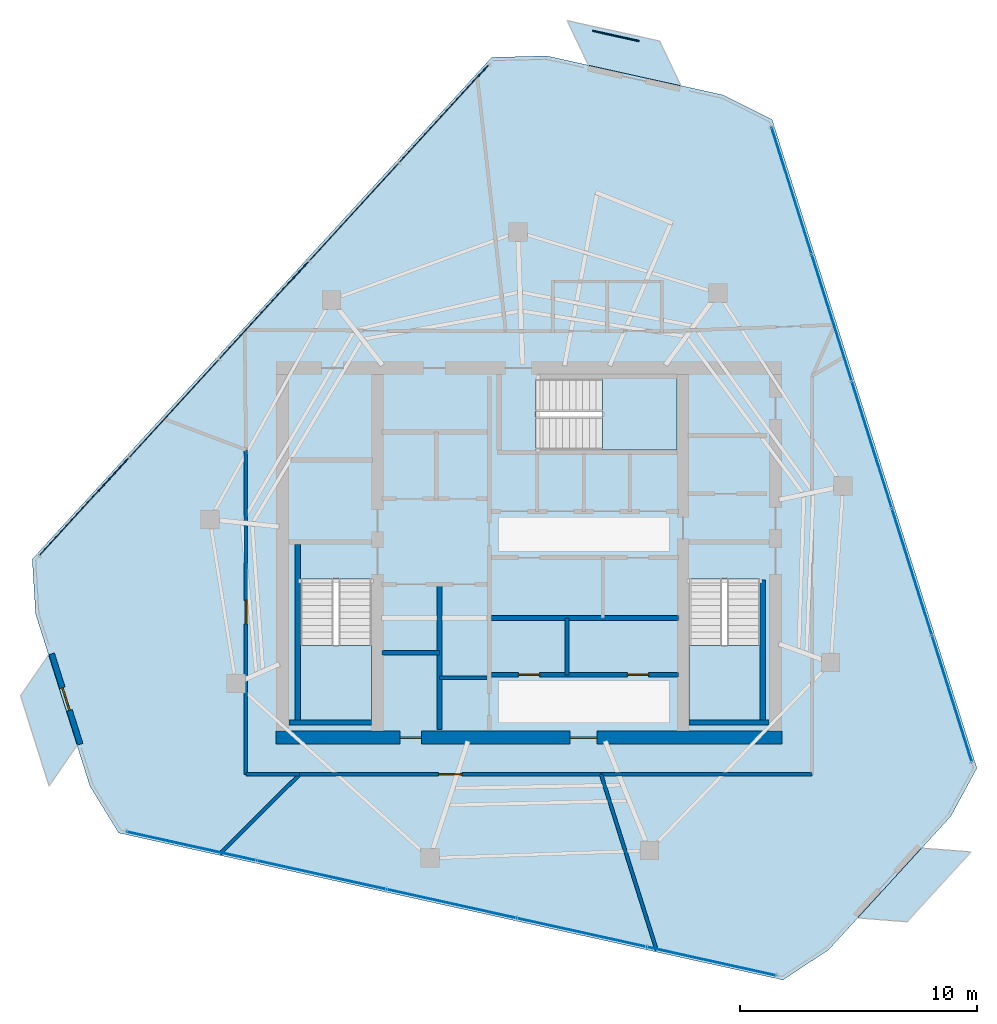
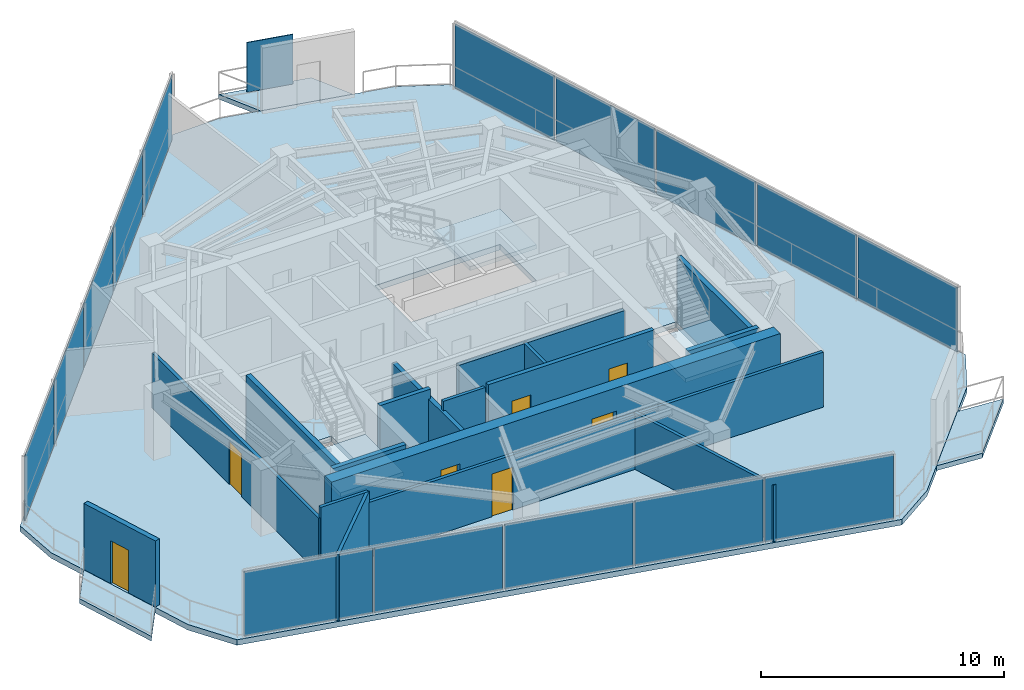
# One storey, part 14 of 18: 18 walls, 16 plates, 7 doors, 7 slabs, 7 openings, 6 elements without a shape of their own.
"""IFC4 building model written with IfcOpenShell, lengths in metres."""

from ifc_helpers import new_model, si_unit, direction, frame, frame_2d, origin, origin_2d, place, context, subcontext, project, spatial, polyline, rectangle, outline, extrude, material, layer, layer_set, type_object, element, fill, aggregate, save


model = new_model("IFC4")

# Units and contexts
model_context = context("Model", 3, precision=1e-05, world=origin(), true_north=direction((0.0, 1.0)))
body_context = subcontext(model_context, "Body", "Model", "MODEL_VIEW")
ifc_project = project(units=[si_unit("LENGTHUNIT", "METRE"), si_unit("AREAUNIT", "SQUARE_METRE"), si_unit("VOLUMEUNIT", "CUBIC_METRE"), si_unit("PLANEANGLEUNIT", "RADIAN"), si_unit("MASSUNIT", "GRAM", prefix="KILO")], contexts=[model_context])

# Site, building, storey
site_placement = place(None, origin())
site = spatial("IfcSite", under=ifc_project, at=site_placement, CompositionType="ELEMENT")
building_placement = place(site_placement, origin())
building = spatial("IfcBuilding", under=site, at=building_placement, Name="Qarnah Convention Tower", CompositionType="ELEMENT")
storey_placement = place(building_placement, frame((0.0, 0.0, 246.300048828125)))
storey = spatial("IfcBuildingStorey", under=building, at=storey_placement, Name="L66", CompositionType="ELEMENT", Elevation=246.300048828125)

# Curtain wall, plates
ifc_material_1 = material(Name="Tempered Low-E dark glass", Category="glass")
ifc_layer_1 = layer(ifc_material_1, 0.176025390625)
ifc_layer_set_1 = layer_set([ifc_layer_1], Name="Tempered Low-E dark glass")
curtain_wall_type = type_object("IfcCurtainWallType", Name="CWS-05", PredefinedType="NOTDEFINED", material=ifc_layer_set_1)
curtain_wall_1_placement = place(storey_placement, origin())
curtain_wall_1 = element("IfcCurtainWall", 1, at=curtain_wall_1_placement, inside=storey, type_object=curtain_wall_type, Name="L66 unitised curtain wall CW-L66-F1", PredefinedType="NOTDEFINED")
ifc_layer_2 = layer(ifc_material_1, 0.035888671875)
ifc_layer_set_2 = layer_set([ifc_layer_2], Name="Tempered Low-E dark glass")
plate_type_1 = type_object("IfcPlateType", Name="PNL-T5", PredefinedType="CURTAIN_PANEL", material=ifc_layer_set_2)
plate_1_placement = place(storey_placement, frame((18.419677734375, 28.348388671875, 0.0400390625), z_axis=(0.0, 0.0, 1.0), x_axis=(0.675336373666, 0.737509852411, 0.0)))
plate_1 = element("IfcPlate", 2, at=plate_1_placement, type_object=plate_type_1, Name="CW-L66-F1 curtain panel 1.1", PredefinedType="CURTAIN_PANEL", context=body_context, shape_type="SweptSolid", body=[
    extrude(rectangle(XDim=5.54296875, YDim=0.035888671875, at=origin_2d()), origin(), (0.0, 0.0, 1.0), 3.239990234375),
])
plate_2_placement = place(storey_placement, frame((22.217041015625, 32.49560546875, 0.0400390625), z_axis=(0.0, 0.0, 1.0), x_axis=(0.675336373666, 0.737509852411, 0.0)))
plate_2 = element("IfcPlate", 3, at=plate_2_placement, type_object=plate_type_1, Name="CW-L66-F1 curtain panel 2.1", PredefinedType="CURTAIN_PANEL", context=body_context, shape_type="SweptSolid", body=[
    extrude(rectangle(XDim=5.54296875, YDim=0.035888671875, at=origin_2d()), origin(), (0.0, 0.0, 1.0), 3.239990234375),
])
plate_3_placement = place(storey_placement, frame((26.014404296875, 36.642578125, 0.0400390625), z_axis=(0.0, 0.0, 1.0), x_axis=(0.675336373666, 0.737509852411, 0.0)))
plate_3 = element("IfcPlate", 4, at=plate_3_placement, type_object=plate_type_1, Name="CW-L66-F1 curtain panel 3.1", PredefinedType="CURTAIN_PANEL", context=body_context, shape_type="SweptSolid", body=[
    extrude(rectangle(XDim=5.54296875, YDim=0.035888671875, at=origin_2d()), origin(), (0.0, 0.0, 1.0), 3.239990234375),
])
plate_4_placement = place(storey_placement, frame((29.81201171875, 40.78955078125, 0.0400390625), z_axis=(0.0, 0.0, 1.0), x_axis=(0.675336373666, 0.737509852411, 0.0)))
plate_4 = element("IfcPlate", 5, at=plate_4_placement, type_object=plate_type_1, Name="CW-L66-F1 curtain panel 4.1", PredefinedType="CURTAIN_PANEL", context=body_context, shape_type="SweptSolid", body=[
    extrude(rectangle(XDim=5.54296875, YDim=0.035888671875, at=origin_2d()), origin(), (0.0, 0.0, 1.0), 3.239990234375),
])
plate_5_placement = place(storey_placement, frame((33.609375, 44.9365234375, 0.0400390625), z_axis=(0.0, 0.0, 1.0), x_axis=(0.675336373666, 0.737509852411, 0.0)))
plate_5 = element("IfcPlate", 6, at=plate_5_placement, type_object=plate_type_1, Name="CW-L66-F1 curtain panel 5.1", PredefinedType="CURTAIN_PANEL", context=body_context, shape_type="SweptSolid", body=[
    extrude(rectangle(XDim=5.54296875, YDim=0.035888671875, at=origin_2d()), origin(), (0.0, 0.0, 1.0), 3.239990234375),
])
aggregate(curtain_wall_1, [plate_1, plate_2, plate_3, plate_4, plate_5])

curtain_wall_2_placement = place(storey_placement, origin())
curtain_wall_2 = element("IfcCurtainWall", 7, at=curtain_wall_2_placement, inside=storey, type_object=curtain_wall_type, Name="L66 unitised curtain wall CW-L66-F2", PredefinedType="NOTDEFINED")
plate_6_placement = place(storey_placement, frame((48.2783203125, 41.68994140625, 0.0400390625), z_axis=(0.0, 0.0, 1.0), x_axis=(0.301024127951, -0.953616523762, 0.0)))
plate_6 = element("IfcPlate", 8, at=plate_6_placement, type_object=plate_type_1, Name="CW-L66-F2 curtain panel 1.1", PredefinedType="CURTAIN_PANEL", context=body_context, shape_type="SweptSolid", body=[
    extrude(rectangle(XDim=5.542724609375, YDim=0.035888671875, at=origin_2d()), origin(), (0.0, 0.0, 1.0), 3.239990234375),
])
plate_7_placement = place(storey_placement, frame((49.970947265625, 36.327880859375, 0.0400390625), z_axis=(0.0, 0.0, 1.0), x_axis=(0.301024127951, -0.953616523762, 0.0)))
plate_7 = element("IfcPlate", 9, at=plate_7_placement, type_object=plate_type_1, Name="CW-L66-F2 curtain panel 2.1", PredefinedType="CURTAIN_PANEL", context=body_context, shape_type="SweptSolid", body=[
    extrude(rectangle(XDim=5.542724609375, YDim=0.035888671875, at=origin_2d()), origin(), (0.0, 0.0, 1.0), 3.239990234375),
])
plate_8_placement = place(storey_placement, frame((51.66357421875, 30.966064453125, 0.0400390625), z_axis=(0.0, 0.0, 1.0), x_axis=(0.301024127951, -0.953616523762, 0.0)))
plate_8 = element("IfcPlate", 10, at=plate_8_placement, type_object=plate_type_1, Name="CW-L66-F2 curtain panel 3.1", PredefinedType="CURTAIN_PANEL", context=body_context, shape_type="SweptSolid", body=[
    extrude(rectangle(XDim=5.542724609375, YDim=0.035888671875, at=origin_2d()), origin(), (0.0, 0.0, 1.0), 3.239990234375),
])
plate_9_placement = place(storey_placement, frame((53.356201171875, 25.60400390625, 0.0400390625), z_axis=(0.0, 0.0, 1.0), x_axis=(0.301024127951, -0.953616523762, 0.0)))
plate_9 = element("IfcPlate", 11, at=plate_9_placement, type_object=plate_type_1, Name="CW-L66-F2 curtain panel 4.1", PredefinedType="CURTAIN_PANEL", context=body_context, shape_type="SweptSolid", body=[
    extrude(rectangle(XDim=5.542724609375, YDim=0.035888671875, at=origin_2d()), origin(), (0.0, 0.0, 1.0), 3.239990234375),
])
plate_10_placement = place(storey_placement, frame((55.048583984375, 20.241943359375, 0.0400390625), z_axis=(0.0, 0.0, 1.0), x_axis=(0.301024127951, -0.953616523762, 0.0)))
plate_10 = element("IfcPlate", 12, at=plate_10_placement, type_object=plate_type_1, Name="CW-L66-F2 curtain panel 5.1", PredefinedType="CURTAIN_PANEL", context=body_context, shape_type="SweptSolid", body=[
    extrude(rectangle(XDim=5.542724609375, YDim=0.035888671875, at=origin_2d()), origin(), (0.0, 0.0, 1.0), 3.239990234375),
])
aggregate(curtain_wall_2, [plate_6, plate_7, plate_8, plate_9, plate_10])

curtain_wall_3_placement = place(storey_placement, origin())
curtain_wall_3 = element("IfcCurtainWall", 13, at=curtain_wall_3_placement, inside=storey, type_object=curtain_wall_type, Name="L66 unitised curtain wall CW-L66-F3", PredefinedType="NOTDEFINED")
plate_11_placement = place(storey_placement, frame((44.902099609375, 9.16162109375, 0.0400390625), z_axis=(0.0, 0.0, 1.0), x_axis=(-0.97637333984, 0.216090493197, 0.0)))
plate_11 = element("IfcPlate", 14, at=plate_11_placement, type_object=plate_type_1, Name="CW-L66-F3 curtain panel 1.1", PredefinedType="CURTAIN_PANEL", context=body_context, shape_type="SweptSolid", body=[
    extrude(rectangle(XDim=5.542724609375, YDim=0.035888671875, at=origin_2d()), origin(), (0.0, 0.0, 1.0), 3.239990234375),
])
plate_12_placement = place(storey_placement, frame((39.412353515625, 10.37646484375, 0.0400390625), z_axis=(0.0, 0.0, 1.0), x_axis=(-0.97637333984, 0.216090493197, 0.0)))
plate_12 = element("IfcPlate", 15, at=plate_12_placement, type_object=plate_type_1, Name="CW-L66-F3 curtain panel 2.1", PredefinedType="CURTAIN_PANEL", context=body_context, shape_type="SweptSolid", body=[
    extrude(rectangle(XDim=5.542724609375, YDim=0.035888671875, at=origin_2d()), origin(), (0.0, 0.0, 1.0), 3.239990234375),
])
plate_13_placement = place(storey_placement, frame((33.922607421875, 11.591552734375, 0.0400390625), z_axis=(0.0, 0.0, 1.0), x_axis=(-0.97637333984, 0.216090493197, 0.0)))
plate_13 = element("IfcPlate", 16, at=plate_13_placement, type_object=plate_type_1, Name="CW-L66-F3 curtain panel 3.1", PredefinedType="CURTAIN_PANEL", context=body_context, shape_type="SweptSolid", body=[
    extrude(rectangle(XDim=5.542724609375, YDim=0.035888671875, at=origin_2d()), origin(), (0.0, 0.0, 1.0), 3.239990234375),
])
plate_14_placement = place(storey_placement, frame((28.4326171875, 12.806396484375, 0.0400390625), z_axis=(0.0, 0.0, 1.0), x_axis=(-0.97637333984, 0.216090493197, 0.0)))
plate_14 = element("IfcPlate", 17, at=plate_14_placement, type_object=plate_type_1, Name="CW-L66-F3 curtain panel 4.1", PredefinedType="CURTAIN_PANEL", context=body_context, shape_type="SweptSolid", body=[
    extrude(rectangle(XDim=5.542724609375, YDim=0.035888671875, at=origin_2d()), origin(), (0.0, 0.0, 1.0), 3.239990234375),
])
plate_15_placement = place(storey_placement, frame((22.94287109375, 14.021484375, 0.0400390625), z_axis=(0.0, 0.0, 1.0), x_axis=(-0.97637333984, 0.216090493197, 0.0)))
plate_15 = element("IfcPlate", 18, at=plate_15_placement, type_object=plate_type_1, Name="CW-L66-F3 curtain panel 5.1", PredefinedType="CURTAIN_PANEL", context=body_context, shape_type="SweptSolid", body=[
    extrude(rectangle(XDim=5.542724609375, YDim=0.035888671875, at=origin_2d()), origin(), (0.0, 0.0, 1.0), 3.239990234375),
])
aggregate(curtain_wall_3, [plate_11, plate_12, plate_13, plate_14, plate_15])

# Plate
ifc_material_2 = material(Name="Black anodised aluminium", Category="aluminium")
ifc_layer_3 = layer(ifc_material_2, 0.044921875)
ifc_layer_set_3 = layer_set([ifc_layer_3], Name="Black anodised aluminium")
plate_type_2 = type_object("IfcPlateType", Name="SCR-BAL-18", PredefinedType="USERDEFINED", material=ifc_layer_set_3)
plate_16_placement = place(storey_placement, frame((40.860107421875, 48.217041015625, 0.0), z_axis=(0.0, 0.0, 1.0), x_axis=(0.97638658348, -0.216030645047, 0.0)))
element("IfcPlate", 19, at=plate_16_placement, inside=storey, type_object=plate_type_2, Name="L66 perforated desert solar screen BAL-L66-C1", ObjectType="SCREEN", PredefinedType="USERDEFINED", context=body_context, shape_type="SweptSolid", body=[
    extrude(rectangle(XDim=2.0, YDim=0.044921875, at=origin_2d()), origin(), (0.0, 0.0, 1.0), 2.5),
])

# Slabs
ifc_material_3 = material(Name="Concrete C45/55", Category="concrete")
ifc_layer_4 = layer(ifc_material_3, 0.239990234375)
ifc_layer_set_4 = layer_set([ifc_layer_4], Name="Concrete C45/55")
slab_type_1 = type_object("IfcSlabType", Name="SLB-BAL-240", PredefinedType="USERDEFINED", material=ifc_layer_set_4)
slab_1_placement = place(storey_placement, frame((0.0, 0.0, -0.239990234375)))
element("IfcSlab", 20, at=slab_1_placement, inside=storey, type_object=slab_type_1, Name="L66 cantilevered balcony slab BAL-L66-C1", ObjectType="BALCONY", PredefinedType="USERDEFINED", context=body_context, shape_type="SweptSolid", body=[
    extrude(outline(polyline([(38.803955078125, 48.865966796875), (42.708984375, 48.001953125), (43.610107421875, 46.113037109375), (39.705078125, 46.97802734375), (38.803955078125, 48.865966796875)])), origin(), (0.0, 0.0, 1.0), 0.239990234375),
])
slab_2_placement = place(storey_placement, frame((0.0, 0.0, -0.239990234375)))
element("IfcSlab", 21, at=slab_2_placement, inside=storey, type_object=slab_type_1, Name="L66 cantilevered balcony slab BAL-L66-C2", ObjectType="BALCONY", PredefinedType="USERDEFINED", context=body_context, shape_type="SweptSolid", body=[
    extrude(outline(polyline([(16.94189453125, 16.555908203125), (15.737060546875, 20.3701171875), (16.922119140625, 22.094970703125), (18.1259765625, 18.281005859375), (16.94189453125, 16.555908203125)])), origin(), (0.0, 0.0, 1.0), 0.239990234375),
])
slab_3_placement = place(storey_placement, frame((0.0, 0.0, -0.239990234375)))
element("IfcSlab", 22, at=slab_3_placement, inside=storey, type_object=slab_type_1, Name="L66 cantilevered balcony slab BAL-L66-C3", ObjectType="BALCONY", PredefinedType="USERDEFINED", context=body_context, shape_type="SweptSolid", body=[
    extrude(outline(polyline([(55.85498046875, 13.778076171875), (53.153076171875, 10.827880859375), (51.06689453125, 10.990966796875), (53.76806640625, 13.94091796875), (55.85498046875, 13.778076171875)])), origin(), (0.0, 0.0, 1.0), 0.239990234375),
])

# Stair, slab
ifc_material_4 = material(Name="Concrete C50/60", Category="concrete")
stair_type = type_object("IfcStairType", Name="STR-OFF", PredefinedType="HALF_TURN_STAIR", material=ifc_material_4)
stair_1_placement = place(storey_placement, origin())
stair_1 = element("IfcStair", 23, at=stair_1_placement, inside=storey, type_object=stair_type, Name="L66 Core exit stair ST-1", PredefinedType="HALF_TURN_STAIR")
ifc_layer_5 = layer(ifc_material_4, 0.199951171875)
ifc_layer_set_5 = layer_set([ifc_layer_5], Name="Concrete C50/60")
slab_type_2 = type_object("IfcSlabType", Name="SLB-LANDING-200", PredefinedType="LANDING", material=ifc_layer_set_5)
slab_4_placement = place(storey_placement, frame((0.0, 0.0, 1.599853515625)))
slab_4 = element("IfcSlab", 24, at=slab_4_placement, type_object=slab_type_2, Name="ST-1 landing 1", PredefinedType="LANDING", context=body_context, shape_type="SweptSolid", body=[
    extrude(outline(polyline([(27.550048828125, 22.5), (27.550048828125, 19.35009765625), (30.550048828125, 19.35009765625), (30.550048828125, 22.5), (27.550048828125, 22.5)])), origin(), (0.0, 0.0, 1.0), 0.2001953125),
])
aggregate(stair_1, [slab_4])

stair_2_placement = place(storey_placement, origin())
stair_2 = element("IfcStair", 25, at=stair_2_placement, inside=storey, type_object=stair_type, Name="L66 Core exit stair ST-2", PredefinedType="HALF_TURN_STAIR")
slab_5_placement = place(storey_placement, frame((0.0, 0.0, 1.599853515625)))
slab_5 = element("IfcSlab", 26, at=slab_5_placement, type_object=slab_type_2, Name="ST-2 landing 1", PredefinedType="LANDING", context=body_context, shape_type="SweptSolid", body=[
    extrude(outline(polyline([(43.949951171875, 22.5), (43.949951171875, 19.35009765625), (46.949951171875, 19.35009765625), (46.949951171875, 22.5), (43.949951171875, 22.5)])), origin(), (0.0, 0.0, 1.0), 0.2001953125),
])
aggregate(stair_2, [slab_5])

stair_3_placement = place(storey_placement, origin())
stair_3 = element("IfcStair", 27, at=stair_3_placement, inside=storey, type_object=stair_type, Name="L66 Core exit stair ST-3", PredefinedType="HALF_TURN_STAIR")
slab_6_placement = place(storey_placement, frame((0.0, 0.0, 1.599853515625)))
slab_6 = element("IfcSlab", 28, at=slab_6_placement, type_object=slab_type_2, Name="ST-3 landing 1", PredefinedType="LANDING", context=body_context, shape_type="SweptSolid", body=[
    extrude(outline(polyline([(40.300048828125, 30.75), (43.449951171875, 30.75), (43.449951171875, 33.75), (40.300048828125, 33.75), (40.300048828125, 30.75)])), origin(), (0.0, 0.0, 1.0), 0.2001953125),
])
aggregate(stair_3, [slab_6])

# Slab
ifc_layer_6 = layer(ifc_material_3, 0.280029296875)
ifc_layer_set_6 = layer_set([ifc_layer_6], Name="Concrete C45/55")
slab_type_3 = type_object("IfcSlabType", Name="SLB-TWR-280", PredefinedType="FLOOR", material=ifc_layer_set_6)
slab_7_placement = place(storey_placement, frame((0.0, 0.0, -0.280029296875)))
element("IfcSlab", 29, at=slab_7_placement, inside=storey, type_object=slab_type_3, Name="L66 structural floor slab", PredefinedType="FLOOR", context=body_context, shape_type="SweptSolid", body=[
    extrude(outline(polyline([(35.6220703125, 47.31201171875), (16.22998046875, 26.135009765625), (16.3720703125, 23.823974609375), (18.66796875, 16.551025390625), (19.87890625, 14.576904296875), (47.9140625, 8.3720703125), (49.844970703125, 9.65087890625), (54.99609375, 15.27587890625), (56.10009765625, 17.31103515625), (47.4560546875, 44.693115234375), (45.383056640625, 45.72509765625), (37.93603515625, 47.3740234375), (35.6220703125, 47.31201171875)]), holes=[polyline([(27.550048828125, 25.300048828125), (27.550048828125, 19.35009765625), (30.550048828125, 19.35009765625), (30.550048828125, 25.300048828125), (27.550048828125, 25.300048828125)]), polyline([(43.949951171875, 25.300048828125), (43.949951171875, 19.35009765625), (46.949951171875, 19.35009765625), (46.949951171875, 25.300048828125), (43.949951171875, 25.300048828125)]), polyline([(37.5, 30.75), (43.449951171875, 30.75), (43.449951171875, 33.75), (37.5, 33.75), (37.5, 30.75)])]), origin(), (0.0, 0.0, 1.0), 0.280029296875),
])

# Wall, openings, doors
ifc_material_5 = material(Name="Concrete C60/75", Category="concrete")
ifc_layer_7 = layer(ifc_material_5, 0.550048828125)
ifc_layer_set_7 = layer_set([ifc_layer_7], Name="Concrete C60/75")
wall_type_1 = type_object("IfcWallType", Name="WL-CORE-550", PredefinedType="SHEAR", material=ifc_layer_set_7)
wall_1_placement = place(storey_placement, frame((26.52490234375, 18.60009765625, 0.0), z_axis=(0.0, 0.0, 1.0), x_axis=(1.0, 0.0, 0.0)))
wall_1 = element("IfcWall", 30, at=wall_1_placement, inside=storey, type_object=wall_type_1, Name="L66 core south shear wall", PredefinedType="SHEAR", context=body_context, shape_type="SweptSolid", body=[
    extrude(rectangle(XDim=21.35009765625, YDim=0.550048828125, at=frame_2d((10.675048828125, 0.0))), origin(), (0.0, 0.0, 1.0), 3.320068359375),
])
opening_1_placement = place(wall_1_placement, frame((12.39990234375, 0.0, 0.0)))
opening_1 = element("IfcOpeningElement", 31, at=opening_1_placement, cuts=wall_1, Name="Opening D-6607", PredefinedType="OPENING", context=body_context, shape_type="SweptSolid", body=[
    extrude(rectangle(XDim=1.14990234375, YDim=2.14990234375, at=frame_2d((0.574951171875, 1.074951171875))), frame((0.0, 0.284912109375, 0.0), z_axis=(0.0, -1.0, 0.0), x_axis=(1.0, 0.0, 0.0)), (0.0, 0.0, 1.0), 0.570068359375),
])
opening_2_placement = place(wall_1_placement, frame((5.22509765625, 0.0, 0.0)))
opening_2 = element("IfcOpeningElement", 32, at=opening_2_placement, cuts=wall_1, Name="Opening D-6613", PredefinedType="OPENING", context=body_context, shape_type="SweptSolid", body=[
    extrude(rectangle(XDim=0.89990234375, YDim=2.10009765625, at=frame_2d((0.449951171875, 1.050048828125))), frame((0.0, 0.284912109375, 0.0), z_axis=(0.0, -1.0, 0.0), x_axis=(1.0, 0.0, 0.0)), (0.0, 0.0, 1.0), 0.570068359375),
])
ifc_material_6 = material(Name="Structural steel S355JR", Category="steel")
door_type_1 = type_object("IfcDoorType", Name="DT-LOBBY-1150", OperationType="NOTDEFINED", PredefinedType="DOOR", material=ifc_material_6)
door_1_placement = place(opening_1_placement, origin())
door_1 = element("IfcDoor", 33, at=door_1_placement, inside=storey, type_object=door_type_1, Name="Door D-6607", OperationType="SINGLE_SWING_RIGHT", OverallHeight=2.14990234375, OverallWidth=1.14990234375, PredefinedType="DOOR", context=body_context, shape_type="SweptSolid", body=[
    extrude(rectangle(XDim=1.14990234375, YDim=2.14990234375, at=frame_2d((0.574951171875, 1.074951171875))), frame((0.0, 0.02490234375, 0.0), z_axis=(0.0, -1.0, 0.0), x_axis=(1.0, 0.0, 0.0)), (0.0, 0.0, 1.0), 0.050048828125),
])
fill(opening_1, door_1)
door_type_2 = type_object("IfcDoorType", Name="DT-RISER-900", OperationType="NOTDEFINED", PredefinedType="DOOR", material=ifc_material_6)
door_2_placement = place(opening_2_placement, origin())
door_2 = element("IfcDoor", 34, at=door_2_placement, inside=storey, type_object=door_type_2, Name="Door D-6613", OperationType="SINGLE_SWING_RIGHT", OverallHeight=2.10009765625, OverallWidth=0.89990234375, PredefinedType="DOOR", context=body_context, shape_type="SweptSolid", body=[
    extrude(rectangle(XDim=0.89990234375, YDim=2.10009765625, at=frame_2d((0.449951171875, 1.050048828125))), frame((0.0, 0.02490234375, 0.0), z_axis=(0.0, -1.0, 0.0), x_axis=(1.0, 0.0, 0.0)), (0.0, 0.0, 1.0), 0.050048828125),
])
fill(opening_2, door_2)

# Walls
ifc_layer_8 = layer(ifc_material_3, 0.199951171875)
ifc_layer_set_8 = layer_set([ifc_layer_8], Name="Concrete C45/55")
wall_type_2 = type_object("IfcWallType", Name="WL-CORE-PART-200", PredefinedType="SOLIDWALL", material=ifc_layer_set_8)
wall_2_placement = place(storey_placement, frame((33.419921875, 18.949951171875, 0.0), z_axis=(0.0, 0.0, 1.0), x_axis=(0.0, 1.0, 0.0)))
element("IfcWall", 35, at=wall_2_placement, inside=storey, type_object=wall_type_2, Name="L66 interior wall IW-L66-SVLE", PredefinedType="SOLIDWALL", context=body_context, shape_type="SweptSolid", body=[
    extrude(rectangle(XDim=6.130126953125, YDim=0.199951171875, at=frame_2d((3.06494140625, 0.0))), origin(), (0.0, 0.0, 1.0), 2.841064453125),
])
wall_3_placement = place(storey_placement, frame((31.0, 22.179931640625, 0.0), z_axis=(0.0, 0.0, 1.0), x_axis=(1.0, 0.0, 0.0)))
element("IfcWall", 36, at=wall_3_placement, inside=storey, type_object=wall_type_2, Name="L66 interior wall IW-L66-SVLS", PredefinedType="SOLIDWALL", context=body_context, shape_type="SweptSolid", body=[
    extrude(rectangle(XDim=2.419921875, YDim=0.199951171875, at=frame_2d((1.2099609375, 0.0))), origin(), (0.0, 0.0, 1.0), 3.320068359375),
])
wall_4_placement = place(storey_placement, frame((35.6201171875, 23.64990234375, 0.0), z_axis=(0.0, 0.0, 1.0), x_axis=(1.0, 0.0, 0.0)))
element("IfcWall", 37, at=wall_4_placement, inside=storey, type_object=wall_type_2, Name="L66 interior wall IW-L66-PMPL", PredefinedType="SOLIDWALL", context=body_context, shape_type="SweptSolid", body=[
    extrude(rectangle(XDim=7.8798828125, YDim=0.199951171875, at=frame_2d((3.93994140625, 0.0))), origin(), (0.0, 0.0, 1.0), 2.841064453125),
])

# Wall, openings, doors
wall_5_placement = place(storey_placement, frame((35.6201171875, 21.25, 0.0), z_axis=(0.0, 0.0, 1.0), x_axis=(1.0, 0.0, 0.0)))
wall_5 = element("IfcWall", 38, at=wall_5_placement, inside=storey, type_object=wall_type_2, Name="L66 interior wall IW-L66-PLS", PredefinedType="SOLIDWALL", context=body_context, shape_type="SweptSolid", body=[
    extrude(rectangle(XDim=7.8798828125, YDim=0.199951171875, at=frame_2d((3.93994140625, 0.0))), origin(), (0.0, 0.0, 1.0), 3.320068359375),
])
opening_3_placement = place(wall_5_placement, frame((1.1298828125, 0.0, 0.0)))
opening_3 = element("IfcOpeningElement", 39, at=opening_3_placement, cuts=wall_5, Name="Opening D-6616", PredefinedType="OPENING", context=body_context, shape_type="SweptSolid", body=[
    extrude(rectangle(XDim=0.89990234375, YDim=2.10009765625, at=frame_2d((0.449951171875, 1.050048828125))), frame((0.0, 0.10986328125, 0.0), z_axis=(0.0, -1.0, 0.0), x_axis=(1.0, 0.0, 0.0)), (0.0, 0.0, 1.0), 0.219970703125),
])
opening_4_placement = place(wall_5_placement, frame((5.72998046875, 0.0, 0.0)))
opening_4 = element("IfcOpeningElement", 40, at=opening_4_placement, cuts=wall_5, Name="Opening D-6617", PredefinedType="OPENING", context=body_context, shape_type="SweptSolid", body=[
    extrude(rectangle(XDim=0.89990234375, YDim=2.10009765625, at=frame_2d((0.449951171875, 1.050048828125))), frame((0.0, 0.10986328125, 0.0), z_axis=(0.0, -1.0, 0.0), x_axis=(1.0, 0.0, 0.0)), (0.0, 0.0, 1.0), 0.219970703125),
])
door_3_placement = place(opening_3_placement, origin())
door_3 = element("IfcDoor", 41, at=door_3_placement, inside=storey, type_object=door_type_2, Name="Door D-6616", OperationType="SINGLE_SWING_LEFT", OverallHeight=2.10009765625, OverallWidth=0.89990234375, PredefinedType="DOOR", context=body_context, shape_type="SweptSolid", body=[
    extrude(rectangle(XDim=0.89990234375, YDim=2.10009765625, at=frame_2d((0.449951171875, 1.050048828125))), frame((0.0, 0.02490234375, 0.0), z_axis=(0.0, -1.0, 0.0), x_axis=(1.0, 0.0, 0.0)), (0.0, 0.0, 1.0), 0.050048828125),
])
fill(opening_3, door_3)
door_4_placement = place(opening_4_placement, origin())
door_4 = element("IfcDoor", 42, at=door_4_placement, inside=storey, type_object=door_type_2, Name="Door D-6617", OperationType="SINGLE_SWING_RIGHT", OverallHeight=2.10009765625, OverallWidth=0.89990234375, PredefinedType="DOOR", context=body_context, shape_type="SweptSolid", body=[
    extrude(rectangle(XDim=0.89990234375, YDim=2.10009765625, at=frame_2d((0.449951171875, 1.050048828125))), frame((0.0, 0.02490234375, 0.0), z_axis=(0.0, -1.0, 0.0), x_axis=(1.0, 0.0, 0.0)), (0.0, 0.0, 1.0), 0.050048828125),
])
fill(opening_4, door_4)

# Walls
ifc_layer_9 = layer(ifc_material_5, 0.219970703125)
ifc_layer_set_9 = layer_set([ifc_layer_9], Name="Concrete C60/75")
wall_type_3 = type_object("IfcWallType", Name="WL-CORE-STAIR-220", PredefinedType="SHEAR", material=ifc_layer_set_9)
wall_6_placement = place(storey_placement, frame((27.43994140625, 19.35009765625, 0.0), z_axis=(0.0, 0.0, 1.0), x_axis=(0.0, 1.0, 0.0)))
element("IfcWall", 43, at=wall_6_placement, inside=storey, type_object=wall_type_3, Name="L66 stair shaft shear wall SW-L66-ST1W", PredefinedType="SHEAR", context=body_context, shape_type="SweptSolid", body=[
    extrude(rectangle(XDim=7.39990234375, YDim=0.219970703125, at=frame_2d((3.699951171875, 0.0))), origin(), (0.0, 0.0, 1.0), 3.320068359375),
])
wall_7_placement = place(storey_placement, frame((27.074951171875, 19.239990234375, 0.0), z_axis=(0.0, 0.0, 1.0), x_axis=(1.0, 0.0, 0.0)))
element("IfcWall", 44, at=wall_7_placement, inside=storey, type_object=wall_type_3, Name="L66 stair shaft shear wall SW-L66-ST1S", PredefinedType="SHEAR", context=body_context, shape_type="SweptSolid", body=[
    extrude(rectangle(XDim=3.47509765625, YDim=0.219970703125, at=frame_2d((1.737548828125, 0.0))), origin(), (0.0, 0.0, 1.0), 3.320068359375),
])
wall_8_placement = place(storey_placement, frame((47.06005859375, 19.35009765625, 0.0), z_axis=(0.0, 0.0, 1.0), x_axis=(0.0, 1.0, 0.0)))
element("IfcWall", 45, at=wall_8_placement, inside=storey, type_object=wall_type_3, Name="L66 stair shaft shear wall SW-L66-ST2E", PredefinedType="SHEAR", context=body_context, shape_type="SweptSolid", body=[
    extrude(rectangle(XDim=5.89990234375, YDim=0.219970703125, at=frame_2d((2.949951171875, 0.0))), origin(), (0.0, 0.0, 1.0), 3.320068359375),
])
wall_9_placement = place(storey_placement, frame((43.949951171875, 19.239990234375, 0.0), z_axis=(0.0, 0.0, 1.0), x_axis=(1.0, 0.0, 0.0)))
element("IfcWall", 46, at=wall_9_placement, inside=storey, type_object=wall_type_3, Name="L66 stair shaft shear wall SW-L66-ST2S", PredefinedType="SHEAR", context=body_context, shape_type="SweptSolid", body=[
    extrude(rectangle(XDim=3.375, YDim=0.219970703125, at=frame_2d((1.6875, 0.0))), origin(), (0.0, 0.0, 1.0), 3.320068359375),
])

# Wall, opening, door
ifc_material_7 = material(Name="Precast concrete C45/55", Category="concrete")
ifc_layer_10 = layer(ifc_material_7, 0.239990234375)
ifc_layer_set_10 = layer_set([ifc_layer_10], Name="Precast concrete C45/55")
wall_type_4 = type_object("IfcWallType", Name="WL-EXT-BAL-240", PredefinedType="SOLIDWALL", material=ifc_layer_set_10)
wall_10_placement = place(storey_placement, frame((18.256103515625, 18.322021484375, 0.0), z_axis=(0.0, 0.0, 1.0), x_axis=(-0.300991168878, 0.953626927188, 0.0)))
wall_10 = element("IfcWall", 47, at=wall_10_placement, inside=storey, type_object=wall_type_4, Name="L66 loggia threshold wall BAL-L66-C2", PredefinedType="SOLIDWALL", context=body_context, shape_type="SweptSolid", body=[
    extrude(rectangle(XDim=4.00048828125, YDim=0.239990234375, at=frame_2d((2.000244140625, 0.0))), origin(), (0.0, 0.0, 1.0), 3.320068359375),
])
opening_5_placement = place(wall_10_placement, frame((1.5, 0.0, 0.0)))
opening_5 = element("IfcOpeningElement", 48, at=opening_5_placement, cuts=wall_10, Name="Opening BD-6602", PredefinedType="OPENING", context=body_context, shape_type="SweptSolid", body=[
    extrude(rectangle(XDim=1.0, YDim=2.14990234375, at=frame_2d((0.5, 1.074951171875))), frame((0.0, 0.1298828125, 0.0), z_axis=(0.0, -1.0, 0.0), x_axis=(1.0, 0.0, 0.0)), (0.0, 0.0, 1.0), 0.260009765625),
])
door_type_3 = type_object("IfcDoorType", Name="DT-BAL-1000", OperationType="NOTDEFINED", PredefinedType="DOOR", material=ifc_material_2)
door_5_placement = place(opening_5_placement, origin())
door_5 = element("IfcDoor", 49, at=door_5_placement, inside=storey, type_object=door_type_3, Name="L66 balcony terrace door BAL-L66-C2", OperationType="SINGLE_SWING_RIGHT", OverallHeight=2.14990234375, OverallWidth=1.0, PredefinedType="DOOR", context=body_context, shape_type="SweptSolid", body=[
    extrude(rectangle(XDim=1.0, YDim=2.14990234375, at=frame_2d((0.5, 1.074951171875))), frame((0.0, 0.02490234375, 0.0), z_axis=(0.0, -1.0, 0.0), x_axis=(1.0, 0.0, 0.0)), (0.0, 0.0, 1.0), 0.050048828125),
])
fill(opening_5, door_5)

# Walls
ifc_material_8 = material(Name="Gypsum partition board")
ifc_layer_11 = layer(ifc_material_8, 0.14990234375)
ifc_layer_set_11 = layer_set([ifc_layer_11], Name="Gypsum partition board")
wall_type_5 = type_object("IfcWallType", Name="WL-SUITE-150", PredefinedType="PARTITIONING", material=ifc_layer_set_11)
wall_11_placement = place(storey_placement, frame((33.419921875, 21.1201171875, 0.0), z_axis=(0.0, 0.0, 1.0), x_axis=(1.0, 0.0, 0.0)))
element("IfcWall", 50, at=wall_11_placement, inside=storey, type_object=wall_type_5, Name="L66 interior wall IW-L66-CSV1", PredefinedType="PARTITIONING", context=body_context, shape_type="SweptSolid", body=[
    extrude(rectangle(XDim=2.0, YDim=0.14990234375, at=frame_2d((1.0, 0.0))), origin(), (0.0, 0.0, 1.0), 3.320068359375),
])
wall_12_placement = place(storey_placement, frame((38.800048828125, 21.25, 0.0), z_axis=(0.0, 0.0, 1.0), x_axis=(0.0, 1.0, 0.0)))
element("IfcWall", 51, at=wall_12_placement, inside=storey, type_object=wall_type_5, Name="L66 interior wall IW-L66-PLFD", PredefinedType="PARTITIONING", context=body_context, shape_type="SweptSolid", body=[
    extrude(rectangle(XDim=2.39990234375, YDim=0.14990234375, at=frame_2d((1.199951171875, 0.0))), origin(), (0.0, 0.0, 1.0), 2.841064453125),
])
wall_13_placement = place(storey_placement, frame((24.14501953125, 13.700927734375, 0.0), z_axis=(0.0, 0.0, 1.0), x_axis=(0.709619046225, 0.704585558491, 0.0)))
element("IfcWall", 52, at=wall_13_placement, inside=storey, type_object=wall_type_5, Name="L66 interior wall IW-L66-R-16", PredefinedType="PARTITIONING", context=body_context, shape_type="SweptSolid", body=[
    extrude(rectangle(XDim=4.75341796875, YDim=0.14990234375, at=frame_2d((2.376708984375, 0.0))), origin(), (0.0, 0.0, 1.0), 3.320068359375),
])
wall_14_placement = place(storey_placement, frame((27.51806640625, 17.050048828125, 0.0), z_axis=(0.0, 0.0, 1.0), x_axis=(-1.0, 0.0, 0.0)))
element("IfcWall", 53, at=wall_14_placement, inside=storey, type_object=wall_type_5, Name="L66 interior wall IW-L66-R-17", PredefinedType="PARTITIONING", context=body_context, shape_type="SweptSolid", body=[
    extrude(rectangle(XDim=2.26806640625, YDim=0.14990234375, at=frame_2d((1.134033203125, 0.0))), origin(), (0.0, 0.0, 1.0), 3.320068359375),
])

# Wall, opening, door
wall_15_placement = place(storey_placement, frame((25.25, 17.050048828125, 0.0), z_axis=(0.0, 0.0, 1.0), x_axis=(0.0, 1.0, 0.0)))
wall_15 = element("IfcWall", 54, at=wall_15_placement, inside=storey, type_object=wall_type_5, Name="L66 interior wall IW-L66-R-18", PredefinedType="PARTITIONING", context=body_context, shape_type="SweptSolid", body=[
    extrude(rectangle(XDim=13.698974609375, YDim=0.14990234375, at=frame_2d((6.849609375, 0.0))), origin(), (0.0, 0.0, 1.0), 2.764892578125),
])
opening_6_placement = place(wall_15_placement, frame((6.34912109375, 0.0, 0.0)))
opening_6 = element("IfcOpeningElement", 55, at=opening_6_placement, cuts=wall_15, Name="Opening D-6624", PredefinedType="OPENING", context=body_context, shape_type="SweptSolid", body=[
    extrude(rectangle(XDim=1.0, YDim=2.14990234375, at=frame_2d((0.5, 1.074951171875))), frame((0.0, 0.0849609375, 0.0), z_axis=(0.0, -1.0, 0.0), x_axis=(1.0, 0.0, 0.0)), (0.0, 0.0, 1.0), 0.169921875),
])
ifc_material_9 = material(Name="Oak timber veneer", Category="wood")
door_type_4 = type_object("IfcDoorType", Name="DT-OFFICE-1000", OperationType="NOTDEFINED", PredefinedType="DOOR", material=ifc_material_9)
door_6_placement = place(opening_6_placement, origin())
door_6 = element("IfcDoor", 56, at=door_6_placement, inside=storey, type_object=door_type_4, Name="Door D-6624", OperationType="SINGLE_SWING_LEFT", OverallHeight=2.14990234375, OverallWidth=1.0, PredefinedType="DOOR", context=body_context, shape_type="SweptSolid", body=[
    extrude(rectangle(XDim=1.0, YDim=2.14990234375, at=frame_2d((0.5, 1.074951171875))), frame((0.0, 0.02490234375, 0.0), z_axis=(0.0, -1.0, 0.0), x_axis=(1.0, 0.0, 0.0)), (0.0, 0.0, 1.0), 0.050048828125),
])
fill(opening_6, door_6)

# Wall
wall_16_placement = place(storey_placement, frame((42.587890625, 9.6220703125, 0.0), z_axis=(0.0, 0.0, 1.0), x_axis=(-0.301618749392, 0.953428618207, 0.0)))
element("IfcWall", 57, at=wall_16_placement, inside=storey, type_object=wall_type_5, Name="L66 interior wall IW-L66-R-19", PredefinedType="PARTITIONING", context=body_context, shape_type="SweptSolid", body=[
    extrude(rectangle(XDim=7.790771484375, YDim=0.14990234375, at=frame_2d((3.8955078125, 0.0))), origin(), (0.0, 0.0, 1.0), 2.844970703125),
])

# Wall, opening, door
wall_17_placement = place(storey_placement, frame((40.238037109375, 17.050048828125, 0.0), z_axis=(0.0, 0.0, 1.0), x_axis=(-1.0, 0.0, 0.0)))
wall_17 = element("IfcWall", 58, at=wall_17_placement, inside=storey, type_object=wall_type_5, Name="L66 interior wall IW-L66-R-20", PredefinedType="PARTITIONING", context=body_context, shape_type="SweptSolid", body=[
    extrude(rectangle(XDim=12.719970703125, YDim=0.14990234375, at=frame_2d((6.35986328125, 0.0))), origin(), (0.0, 0.0, 1.0), 2.764892578125),
])
opening_7_placement = place(wall_17_placement, frame((5.860107421875, 0.0, 0.0)))
opening_7 = element("IfcOpeningElement", 59, at=opening_7_placement, cuts=wall_17, Name="Opening D-6625", PredefinedType="OPENING", context=body_context, shape_type="SweptSolid", body=[
    extrude(rectangle(XDim=1.0, YDim=2.14990234375, at=frame_2d((0.5, 1.074951171875))), frame((0.0, 0.0849609375, 0.0), z_axis=(0.0, -1.0, 0.0), x_axis=(1.0, 0.0, 0.0)), (0.0, 0.0, 1.0), 0.169921875),
])
door_7_placement = place(opening_7_placement, origin())
door_7 = element("IfcDoor", 60, at=door_7_placement, inside=storey, type_object=door_type_4, Name="Door D-6625", OperationType="SINGLE_SWING_RIGHT", OverallHeight=2.14990234375, OverallWidth=1.0, PredefinedType="DOOR", context=body_context, shape_type="SweptSolid", body=[
    extrude(rectangle(XDim=1.0, YDim=2.14990234375, at=frame_2d((0.5, 1.074951171875))), frame((0.0, 0.02490234375, 0.0), z_axis=(0.0, -1.0, 0.0), x_axis=(1.0, 0.0, 0.0)), (0.0, 0.0, 1.0), 0.050048828125),
])
fill(opening_7, door_7)

# Wall
wall_18_placement = place(storey_placement, frame((49.14990234375, 17.050048828125, 0.0), z_axis=(0.0, 0.0, 1.0), x_axis=(-1.0, 0.0, 0.0)))
element("IfcWall", 61, at=wall_18_placement, inside=storey, type_object=wall_type_5, Name="L66 interior wall IW-L66-R-22", PredefinedType="PARTITIONING", context=body_context, shape_type="SweptSolid", body=[
    extrude(rectangle(XDim=8.911865234375, YDim=0.14990234375, at=frame_2d((4.4560546875, 0.0))), origin(), (0.0, 0.0, 1.0), 2.764892578125),
])

save(model, "model.ifc")
